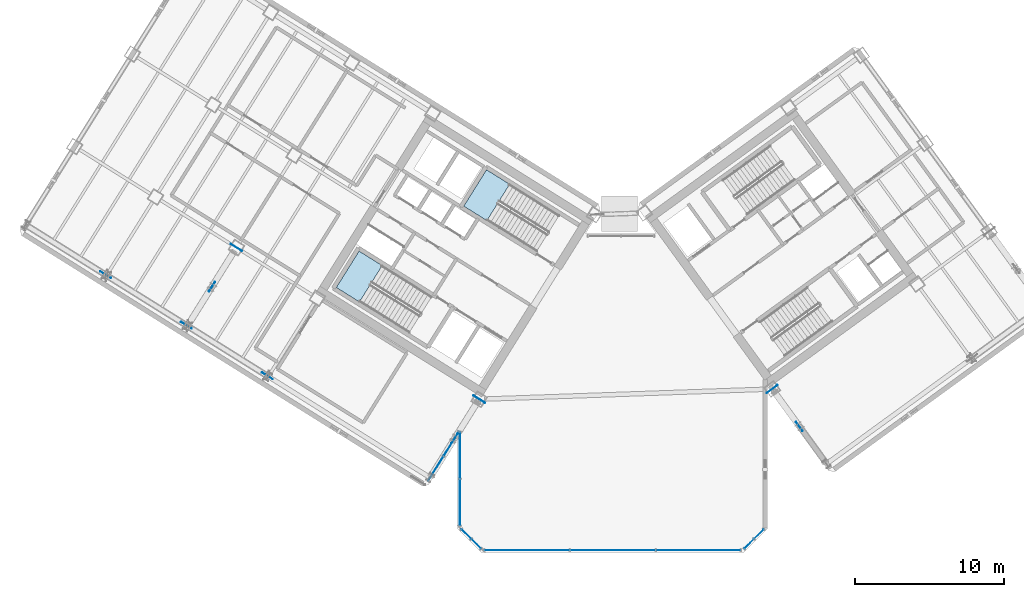
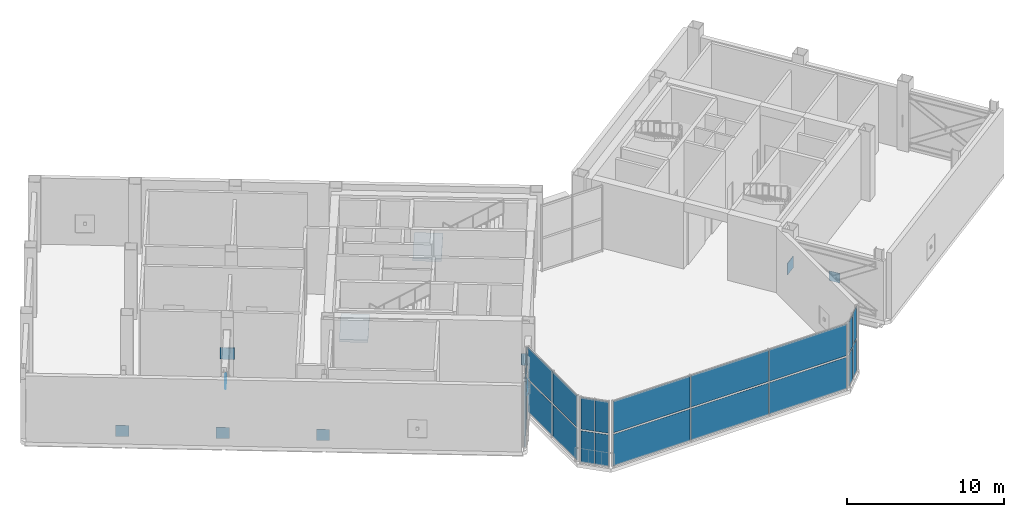
# One storey, part 14 of 30: 31 plates, 2 slabs, 7 elements without a shape of their own.
"""IFC4 building model written with IfcOpenShell, lengths in metres."""

from ifc_helpers import new_model, si_unit, direction, frame, origin, origin_2d, place, context, subcontext, project, spatial, polyline, rectangle, outline, extrude, source, transform, mapped, material, layer, layer_set, type_object, element, aggregate, save


model = new_model("IFC4")

# Units and contexts
model_context = context("Model", 3, precision=1e-05, world=origin(), true_north=direction((0.0, 1.0)))
body_context = subcontext(model_context, "Body", "Model", "MODEL_VIEW")
ifc_project = project(units=[si_unit("LENGTHUNIT", "METRE"), si_unit("AREAUNIT", "SQUARE_METRE"), si_unit("VOLUMEUNIT", "CUBIC_METRE"), si_unit("PLANEANGLEUNIT", "RADIAN"), si_unit("MASSUNIT", "GRAM", prefix="KILO")], contexts=[model_context])

# Site, building, storey
site_placement = place(None, origin())
site = spatial("IfcSite", under=ifc_project, at=site_placement, CompositionType="ELEMENT")
building_placement = place(site_placement, origin())
building = spatial("IfcBuilding", under=site, at=building_placement, Name="Tlacorven Tower", CompositionType="ELEMENT")
storey_placement = place(building_placement, frame((0.0, 0.0, 169.5)))
storey = spatial("IfcBuildingStorey", under=building, at=storey_placement, Name="L43", CompositionType="ELEMENT", Elevation=169.5)

# Stair, slab
ifc_material_1 = material(Name="Concrete C40/50", Category="concrete")
stair_type = type_object("IfcStairType", Name="ST-CORE-DLG", PredefinedType="HALF_TURN_STAIR", material=ifc_material_1)
stair_1_placement = place(storey_placement, origin())
stair_1 = element("IfcStair", 1, at=stair_1_placement, inside=storey, type_object=stair_type, Name="L43 Protected Exit Stair West 1", PredefinedType="HALF_TURN_STAIR")
ifc_layer_1 = layer(ifc_material_1, 0.199951171875)
ifc_layer_set_1 = layer_set([ifc_layer_1], Name="Concrete C40/50")
slab_type = type_object("IfcSlabType", Name="SL-LND-200", PredefinedType="LANDING", material=ifc_layer_set_1)
slab_1_placement = place(storey_placement, frame((0.0, 0.0, 2.5)))
slab_1 = element("IfcSlab", 2, at=slab_1_placement, type_object=slab_type, Name="ST-W1 landing 1", PredefinedType="LANDING", context=body_context, shape_type="SweptSolid", body=[
    extrude(outline(polyline([(26.541259765625, 21.05712890625), (24.9892578125, 22.02685546875), (23.463134765625, 19.58447265625), (25.014892578125, 18.61474609375), (26.541259765625, 21.05712890625)])), origin(), (0.0, 0.0, 1.0), 0.199951171875),
])
aggregate(stair_1, [slab_1])

stair_2_placement = place(storey_placement, origin())
stair_2 = element("IfcStair", 3, at=stair_2_placement, inside=storey, type_object=stair_type, Name="L43 Protected Exit Stair West 2", PredefinedType="HALF_TURN_STAIR")
slab_2_placement = place(storey_placement, frame((0.0, 0.0, 2.5)))
slab_2 = element("IfcSlab", 4, at=slab_2_placement, type_object=slab_type, Name="ST-W2 landing 1", PredefinedType="LANDING", context=body_context, shape_type="SweptSolid", body=[
    extrude(outline(polyline([(35.0927734375, 26.5146484375), (33.540771484375, 27.484375), (32.0146484375, 25.0419921875), (33.56640625, 24.072265625), (35.0927734375, 26.5146484375)])), origin(), (0.0, 0.0, 1.0), 0.199951171875),
])
aggregate(stair_2, [slab_2])

# Plates
ifc_material_2 = material(Name="Steel S460M", Category="steel")
ifc_layer_2 = layer(ifc_material_2, 0.0400390625)
ifc_layer_set_2 = layer_set([ifc_layer_2], Name="Steel S460M")
plate_type_1 = type_object("IfcPlateType", Name="PL-NODE-ON1", PredefinedType="SHEET", material=ifc_layer_set_2)
shared_shape_1 = source(origin(), body_context, "Body", "SweptSolid", [
    extrude(rectangle(XDim=0.75, YDim=0.0400390625, at=origin_2d()), origin(), (0.0, 0.0, 1.0), 0.75),
])
for number, where, z_axis, x_axis, name in (
    (5, (31.4033203125, 9.4580078125, 1.965087890625), (0.0, 0.0, 1.0), (-0.529919264233, -0.848048096156, 0.0), "L43 Outrigger X-Brace Crossing Gusset Plate W1"),
    (6, (15.120849609375, 19.63232421875, 1.965087890625), (0.0, 0.0, 1.0), (-0.529919264233, -0.848048096156, 0.0), "L43 Outrigger X-Brace Crossing Gusset Plate W2"),
    (7, (54.527587890625, 10.265380859375, 1.965087890625), (0.0, 0.0, 1.0), (-0.587785252292, 0.809016994375, 0.0), "L43 Outrigger X-Brace Crossing Gusset Plate E1"),
):
    element("IfcPlate", number, at=place(storey_placement, frame(where, z_axis=z_axis, x_axis=x_axis)), inside=storey, type_object=plate_type_1, Name=name, PredefinedType="SHEET", context=body_context, shape_type="MappedRepresentation", body=[
        mapped(shared_shape_1, transform((0.0, 0.0, 0.0), scale=1.0)),
    ])
shared_shape_2 = source(origin(), body_context, "Body", "SweptSolid", [
    extrude(rectangle(XDim=0.89990234375, YDim=0.0400390625, at=origin_2d()), origin(), (0.0, 0.0, 1.0), 0.89990234375),
])
for number, where, z_axis, x_axis, name in (
    (8, (33.046142578125, 12.0869140625, 1.89013671875), (0.0, 0.0, 1.0), (-0.848048096156, 0.529919264233, 0.0), "L43 Outrigger Embedded Core Gusset Node Plate ON1"),
    (9, (16.763671875, 22.26123046875, 1.89013671875), (0.0, 0.0, 1.0), (-0.848048096156, 0.529919264233, 0.0), "L43 Outrigger Embedded Core Gusset Node Plate ON1"),
    (10, (52.705322265625, 12.7734375, 1.89013671875), (0.0, 0.0, 1.0), (0.809016994375, 0.587785252292, 0.0), "L43 Outrigger Embedded Core Gusset Node Plate ON1"),
):
    element("IfcPlate", number, at=place(storey_placement, frame(where, z_axis=z_axis, x_axis=x_axis)), inside=storey, type_object=plate_type_1, Name=name, PredefinedType="SHEET", context=body_context, shape_type="MappedRepresentation", body=[
        mapped(shared_shape_2, transform((0.0, 0.0, 0.0), scale=1.0)),
    ])
ifc_layer_3 = layer(ifc_material_2, 0.035888671875)
ifc_layer_set_3 = layer_set([ifc_layer_3], Name="Steel S460M")
plate_type_2 = type_object("IfcPlateType", Name="PL-NODE-BN1", PredefinedType="SHEET", material=ifc_layer_set_3)
shared_shape_3 = source(origin(), body_context, "Body", "SweptSolid", [
    extrude(rectangle(XDim=0.85009765625, YDim=0.035888671875, at=origin_2d()), origin(), (0.0, 0.0, 1.0), 0.85009765625),
])
for number, where, z_axis, x_axis, name in (
    (11, (18.838134765625, 13.654052734375, 0.072021484375), (0.0, 0.0, 1.0), (-0.848048018873, 0.529919387912, 0.0), "L43 structural node gusset plate BLT-L43-W1-D1"),
    (12, (13.41064453125, 17.045654296875, 0.072021484375), (0.0, 0.0, 1.0), (-0.848048092771, 0.52991926965, 0.0), "L43 structural node gusset plate BLT-L43-W2-D1"),
    (13, (7.983154296875, 20.43701171875, 0.072021484375), (0.0, 0.0, 1.0), (-0.848048018873, 0.529919387912, 0.0), "L43 structural node gusset plate BLT-L43-W3-D1"),
):
    element("IfcPlate", number, at=place(storey_placement, frame(where, z_axis=z_axis, x_axis=x_axis)), inside=storey, type_object=plate_type_2, Name=name, PredefinedType="SHEET", context=body_context, shape_type="MappedRepresentation", body=[
        mapped(shared_shape_3, transform((0.0, 0.0, 0.0), scale=1.0)),
    ])

# Curtain wall, plates
ifc_material_3 = material(Name="Dark solar low-E double glazing in aluminium frame", Category="aluminium")
curtain_wall_type = type_object("IfcCurtainWallType", Name="CW-TWR-MID", PredefinedType="USERDEFINED", material=ifc_material_3)
curtain_wall_1_placement = place(storey_placement, origin())
curtain_wall_1 = element("IfcCurtainWall", 14, at=curtain_wall_1_placement, inside=storey, type_object=curtain_wall_type, Name="L43 CW-TWR-MID Curtain Wall 196", ObjectType="UNITISED CURTAIN WALL", PredefinedType="USERDEFINED")
ifc_material_4 = material(Name="High-wind dark solar tempered low-E glazing", Category="glass")
ifc_layer_4 = layer(ifc_material_4, 0.028076171875)
ifc_layer_set_4 = layer_set([ifc_layer_4], Name="High-wind dark solar tempered low-E glazing")
plate_type_3 = type_object("IfcPlateType", Name="CWP-03", PredefinedType="CURTAIN_PANEL", material=ifc_layer_set_4)
shared_shape_4 = source(origin(), body_context, "Body", "SweptSolid", [
    extrude(rectangle(XDim=0.885498046875, YDim=0.028076171875, at=origin_2d()), origin(), (0.0, 0.0, 1.0), 2.452880859375),
])
plate_1_placement = place(storey_placement, frame((51.816650390625, 3.04296875, 0.06103515625), z_axis=(0.0, 0.0, 1.0), x_axis=(-0.707106781187, -0.707106781187, 0.0)))
plate_1 = element("IfcPlate", 15, at=plate_1_placement, type_object=plate_type_3, Name="CW-L43-196 Glazing Panel 1", PredefinedType="CURTAIN_PANEL", context=body_context, shape_type="MappedRepresentation", body=[
    mapped(shared_shape_4, transform((0.0, 0.0, 0.0), scale=1.0)),
])
plate_2_placement = place(storey_placement, frame((51.816650390625, 3.04296875, 2.63623046875), z_axis=(0.0, 0.0, 1.0), x_axis=(-0.707106781187, -0.707106781187, 0.0)))
plate_2 = element("IfcPlate", 16, at=plate_2_placement, type_object=plate_type_3, Name="CW-L43-196 Glazing Panel 2", PredefinedType="CURTAIN_PANEL", context=body_context, shape_type="MappedRepresentation", body=[
    mapped(shared_shape_4, transform((0.0, 0.0, 0.0), scale=1.0)),
])
plate_3_placement = place(storey_placement, frame((51.1572265625, 2.38330078125, 0.06103515625), z_axis=(0.0, 0.0, 1.0), x_axis=(-0.707106781187, -0.707106781187, 0.0)))
plate_3 = element("IfcPlate", 17, at=plate_3_placement, type_object=plate_type_3, Name="CW-L43-196 Glazing Panel 3", PredefinedType="CURTAIN_PANEL", context=body_context, shape_type="MappedRepresentation", body=[
    mapped(shared_shape_4, transform((0.0, 0.0, 0.0), scale=1.0)),
])
plate_4_placement = place(storey_placement, frame((51.1572265625, 2.38330078125, 2.63623046875), z_axis=(0.0, 0.0, 1.0), x_axis=(-0.707106781187, -0.707106781187, 0.0)))
plate_4 = element("IfcPlate", 18, at=plate_4_placement, type_object=plate_type_3, Name="CW-L43-196 Glazing Panel 4", PredefinedType="CURTAIN_PANEL", context=body_context, shape_type="MappedRepresentation", body=[
    mapped(shared_shape_4, transform((0.0, 0.0, 0.0), scale=1.0)),
])
aggregate(curtain_wall_1, [plate_1, plate_2, plate_3, plate_4])

curtain_wall_2_placement = place(storey_placement, origin())
curtain_wall_2 = element("IfcCurtainWall", 19, at=curtain_wall_2_placement, inside=storey, type_object=curtain_wall_type, Name="L43 CW-TWR-MID Curtain Wall 198", ObjectType="UNITISED CURTAIN WALL", PredefinedType="USERDEFINED")
plate_5_placement = place(storey_placement, frame((32.8427734375, 2.38330078125, 0.06103515625), z_axis=(0.0, 0.0, 1.0), x_axis=(-0.707106781187, 0.707106781187, 0.0)))
plate_5 = element("IfcPlate", 20, at=plate_5_placement, type_object=plate_type_3, Name="CW-L43-198 Glazing Panel 1", PredefinedType="CURTAIN_PANEL", context=body_context, shape_type="MappedRepresentation", body=[
    mapped(shared_shape_4, transform((0.0, 0.0, 0.0), scale=1.0)),
])
plate_6_placement = place(storey_placement, frame((32.8427734375, 2.38330078125, 2.63623046875), z_axis=(0.0, 0.0, 1.0), x_axis=(-0.707106781187, 0.707106781187, 0.0)))
plate_6 = element("IfcPlate", 21, at=plate_6_placement, type_object=plate_type_3, Name="CW-L43-198 Glazing Panel 2", PredefinedType="CURTAIN_PANEL", context=body_context, shape_type="MappedRepresentation", body=[
    mapped(shared_shape_4, transform((0.0, 0.0, 0.0), scale=1.0)),
])
plate_7_placement = place(storey_placement, frame((32.183349609375, 3.04296875, 0.06103515625), z_axis=(0.0, 0.0, 1.0), x_axis=(-0.707106781187, 0.707106781187, 0.0)))
plate_7 = element("IfcPlate", 22, at=plate_7_placement, type_object=plate_type_3, Name="CW-L43-198 Glazing Panel 3", PredefinedType="CURTAIN_PANEL", context=body_context, shape_type="MappedRepresentation", body=[
    mapped(shared_shape_4, transform((0.0, 0.0, 0.0), scale=1.0)),
])
plate_8_placement = place(storey_placement, frame((32.183349609375, 3.04296875, 2.63623046875), z_axis=(0.0, 0.0, 1.0), x_axis=(-0.707106781187, 0.707106781187, 0.0)))
plate_8 = element("IfcPlate", 23, at=plate_8_placement, type_object=plate_type_3, Name="CW-L43-198 Glazing Panel 4", PredefinedType="CURTAIN_PANEL", context=body_context, shape_type="MappedRepresentation", body=[
    mapped(shared_shape_4, transform((0.0, 0.0, 0.0), scale=1.0)),
])
aggregate(curtain_wall_2, [plate_5, plate_6, plate_7, plate_8])

curtain_wall_3_placement = place(storey_placement, origin())
curtain_wall_3 = element("IfcCurtainWall", 24, at=curtain_wall_3_placement, inside=storey, type_object=curtain_wall_type, Name="L43 CW-TWR-MID Curtain Wall 197", ObjectType="UNITISED CURTAIN WALL", PredefinedType="USERDEFINED")
shared_shape_5 = source(origin(), body_context, "Body", "SweptSolid", [
    extrude(rectangle(XDim=5.67626953125, YDim=0.028076171875, at=origin_2d()), origin(), (0.0, 0.0, 1.0), 2.452880859375),
])
plate_9_placement = place(storey_placement, frame((47.739501953125, 1.9599609375, 0.06103515625), z_axis=(0.0, 0.0, 1.0), x_axis=(-1.0, 0.0, 0.0)))
plate_9 = element("IfcPlate", 25, at=plate_9_placement, type_object=plate_type_3, Name="CW-L43-197 Glazing Panel 1", PredefinedType="CURTAIN_PANEL", context=body_context, shape_type="MappedRepresentation", body=[
    mapped(shared_shape_5, transform((0.0, 0.0, 0.0), scale=1.0)),
])
plate_10_placement = place(storey_placement, frame((47.739501953125, 1.9599609375, 2.63623046875), z_axis=(0.0, 0.0, 1.0), x_axis=(-1.0, 0.0, 0.0)))
plate_10 = element("IfcPlate", 26, at=plate_10_placement, type_object=plate_type_3, Name="CW-L43-197 Glazing Panel 2", PredefinedType="CURTAIN_PANEL", context=body_context, shape_type="MappedRepresentation", body=[
    mapped(shared_shape_5, transform((0.0, 0.0, 0.0), scale=1.0)),
])
plate_11_placement = place(storey_placement, frame((36.260498046875, 1.9599609375, 0.06103515625), z_axis=(0.0, 0.0, 1.0), x_axis=(-1.0, 0.0, 0.0)))
plate_11 = element("IfcPlate", 27, at=plate_11_placement, type_object=plate_type_3, Name="CW-L43-197 Glazing Panel 5", PredefinedType="CURTAIN_PANEL", context=body_context, shape_type="MappedRepresentation", body=[
    mapped(shared_shape_5, transform((0.0, 0.0, 0.0), scale=1.0)),
])
plate_12_placement = place(storey_placement, frame((36.260498046875, 1.9599609375, 2.63623046875), z_axis=(0.0, 0.0, 1.0), x_axis=(-1.0, 0.0, 0.0)))
plate_12 = element("IfcPlate", 28, at=plate_12_placement, type_object=plate_type_3, Name="CW-L43-197 Glazing Panel 6", PredefinedType="CURTAIN_PANEL", context=body_context, shape_type="MappedRepresentation", body=[
    mapped(shared_shape_5, transform((0.0, 0.0, 0.0), scale=1.0)),
])
shared_shape_6 = source(origin(), body_context, "Body", "SweptSolid", [
    extrude(rectangle(XDim=5.708740234375, YDim=0.028076171875, at=origin_2d()), origin(), (0.0, 0.0, 1.0), 2.452880859375),
])
plate_13_placement = place(storey_placement, frame((42.0, 1.9599609375, 0.06103515625), z_axis=(0.0, 0.0, 1.0), x_axis=(-1.0, 0.0, 0.0)))
plate_13 = element("IfcPlate", 29, at=plate_13_placement, type_object=plate_type_3, Name="CW-L43-197 Glazing Panel 3", PredefinedType="CURTAIN_PANEL", context=body_context, shape_type="MappedRepresentation", body=[
    mapped(shared_shape_6, transform((0.0, 0.0, 0.0), scale=1.0)),
])
plate_14_placement = place(storey_placement, frame((42.0, 1.9599609375, 2.63623046875), z_axis=(0.0, 0.0, 1.0), x_axis=(-1.0, 0.0, 0.0)))
plate_14 = element("IfcPlate", 30, at=plate_14_placement, type_object=plate_type_3, Name="CW-L43-197 Glazing Panel 4", PredefinedType="CURTAIN_PANEL", context=body_context, shape_type="MappedRepresentation", body=[
    mapped(shared_shape_6, transform((0.0, 0.0, 0.0), scale=1.0)),
])
aggregate(curtain_wall_3, [plate_9, plate_10, plate_13, plate_14, plate_11, plate_12])

curtain_wall_4_placement = place(storey_placement, origin())
curtain_wall_4 = element("IfcCurtainWall", 31, at=curtain_wall_4_placement, inside=storey, type_object=curtain_wall_type, Name="L43 CW-TWR-MID Curtain Wall 199", ObjectType="UNITISED CURTAIN WALL", PredefinedType="USERDEFINED")
shared_shape_7 = source(origin(), body_context, "Body", "SweptSolid", [
    extrude(rectangle(XDim=3.101806640625, YDim=0.028076171875, at=origin_2d()), origin(), (0.0, 0.0, 1.0), 2.452880859375),
])
plate_15_placement = place(storey_placement, frame((31.760009765625, 5.173095703125, 0.06103515625), z_axis=(0.0, 0.0, 1.0), x_axis=(0.0, 1.0, 0.0)))
plate_15 = element("IfcPlate", 32, at=plate_15_placement, type_object=plate_type_3, Name="CW-L43-199 Glazing Panel 1", PredefinedType="CURTAIN_PANEL", context=body_context, shape_type="MappedRepresentation", body=[
    mapped(shared_shape_7, transform((0.0, 0.0, 0.0), scale=1.0)),
])
plate_16_placement = place(storey_placement, frame((31.760009765625, 5.173095703125, 2.63623046875), z_axis=(0.0, 0.0, 1.0), x_axis=(0.0, 1.0, 0.0)))
plate_16 = element("IfcPlate", 33, at=plate_16_placement, type_object=plate_type_3, Name="CW-L43-199 Glazing Panel 2", PredefinedType="CURTAIN_PANEL", context=body_context, shape_type="MappedRepresentation", body=[
    mapped(shared_shape_7, transform((0.0, 0.0, 0.0), scale=1.0)),
])
plate_17_placement = place(storey_placement, frame((31.760009765625, 8.32177734375, 0.06103515625), z_axis=(0.0, 0.0, 1.0), x_axis=(0.0, 1.0, 0.0)))
plate_17 = element("IfcPlate", 34, at=plate_17_placement, type_object=plate_type_3, Name="CW-L43-199 Glazing Panel 3", PredefinedType="CURTAIN_PANEL", context=body_context, shape_type="MappedRepresentation", body=[
    mapped(shared_shape_7, transform((0.0, 0.0, 0.0), scale=1.0)),
])
plate_18_placement = place(storey_placement, frame((31.760009765625, 8.32177734375, 2.63623046875), z_axis=(0.0, 0.0, 1.0), x_axis=(0.0, 1.0, 0.0)))
plate_18 = element("IfcPlate", 35, at=plate_18_placement, type_object=plate_type_3, Name="CW-L43-199 Glazing Panel 4", PredefinedType="CURTAIN_PANEL", context=body_context, shape_type="MappedRepresentation", body=[
    mapped(shared_shape_7, transform((0.0, 0.0, 0.0), scale=1.0)),
])
aggregate(curtain_wall_4, [plate_15, plate_16, plate_17, plate_18])

curtain_wall_5_placement = place(storey_placement, origin())
curtain_wall_5 = element("IfcCurtainWall", 36, at=curtain_wall_5_placement, inside=storey, type_object=curtain_wall_type, Name="L43 CW-TWR-MID Curtain Wall 200", ObjectType="UNITISED CURTAIN WALL", PredefinedType="USERDEFINED")
shared_shape_8 = source(origin(), body_context, "Body", "SweptSolid", [
    extrude(rectangle(XDim=1.90380859375, YDim=0.028076171875, at=origin_2d()), origin(), (0.0, 0.0, 1.0), 2.452880859375),
])
plate_19_placement = place(storey_placement, frame((31.1728515625, 9.089111328125, 0.06103515625), z_axis=(0.0, 0.0, 1.0), x_axis=(-0.529918710919, -0.848048441905, 0.0)))
plate_19 = element("IfcPlate", 37, at=plate_19_placement, type_object=plate_type_3, Name="CW-L43-200 Glazing Panel 1", PredefinedType="CURTAIN_PANEL", context=body_context, shape_type="MappedRepresentation", body=[
    mapped(shared_shape_8, transform((0.0, 0.0, 0.0), scale=1.0)),
])
plate_20_placement = place(storey_placement, frame((31.1728515625, 9.089111328125, 2.63623046875), z_axis=(0.0, 0.0, 1.0), x_axis=(-0.529918710919, -0.848048441905, 0.0)))
plate_20 = element("IfcPlate", 38, at=plate_20_placement, type_object=plate_type_3, Name="CW-L43-200 Glazing Panel 2", PredefinedType="CURTAIN_PANEL", context=body_context, shape_type="MappedRepresentation", body=[
    mapped(shared_shape_8, transform((0.0, 0.0, 0.0), scale=1.0)),
])
plate_21_placement = place(storey_placement, frame((30.13916015625, 7.4345703125, 0.06103515625), z_axis=(0.0, 0.0, 1.0), x_axis=(-0.529918710919, -0.848048441905, 0.0)))
plate_21 = element("IfcPlate", 39, at=plate_21_placement, type_object=plate_type_3, Name="CW-L43-200 Glazing Panel 3", PredefinedType="CURTAIN_PANEL", context=body_context, shape_type="MappedRepresentation", body=[
    mapped(shared_shape_8, transform((0.0, 0.0, 0.0), scale=1.0)),
])
plate_22_placement = place(storey_placement, frame((30.13916015625, 7.4345703125, 2.63623046875), z_axis=(0.0, 0.0, 1.0), x_axis=(-0.529918710919, -0.848048441905, 0.0)))
plate_22 = element("IfcPlate", 40, at=plate_22_placement, type_object=plate_type_3, Name="CW-L43-200 Glazing Panel 4", PredefinedType="CURTAIN_PANEL", context=body_context, shape_type="MappedRepresentation", body=[
    mapped(shared_shape_8, transform((0.0, 0.0, 0.0), scale=1.0)),
])
aggregate(curtain_wall_5, [plate_19, plate_20, plate_21, plate_22])

save(model, "model.ifc")
